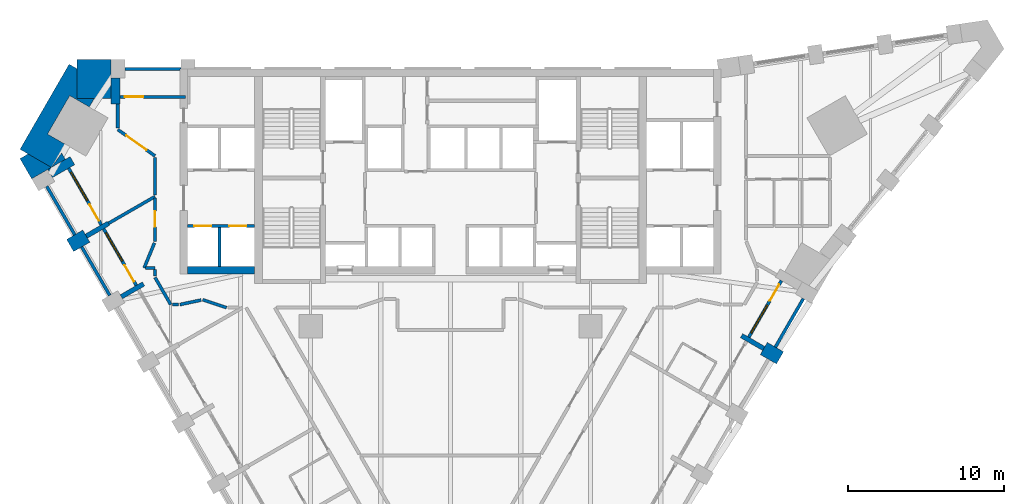
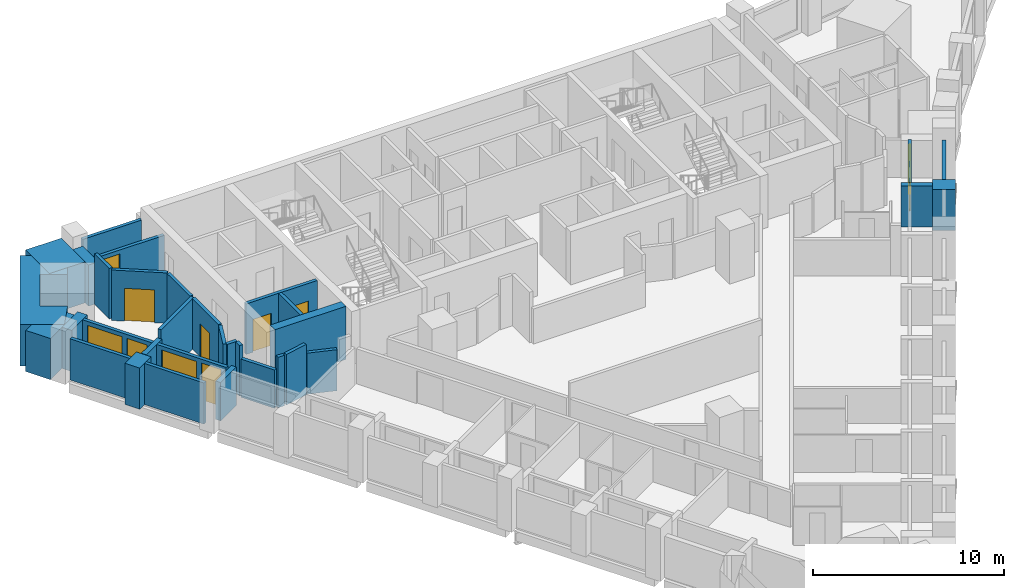
# One storey, part 6 of 11: 34 walls, 8 doors, 3 windows, 11 openings.
"""IFC4 building model written with IfcOpenShell, lengths in metres."""

from ifc_helpers import new_model, si_unit, direction, frame, frame_2d, origin, place, context, subcontext, project, spatial, polyline, rectangle, outline, extrude, material, layer, layer_set, type_object, element, fill, save


model = new_model("IFC4")

# Units and contexts
model_context = context("Model", 3, precision=1e-05, world=origin(), true_north=direction((0.0, 1.0)))
body_context = subcontext(model_context, "Body", "Model", "MODEL_VIEW")
ifc_project = project(units=[si_unit("LENGTHUNIT", "METRE"), si_unit("AREAUNIT", "SQUARE_METRE"), si_unit("VOLUMEUNIT", "CUBIC_METRE"), si_unit("PLANEANGLEUNIT", "RADIAN"), si_unit("MASSUNIT", "GRAM", prefix="KILO")], contexts=[model_context])

# Site, building, storey
site_placement = place(None, origin())
site = spatial("IfcSite", under=ifc_project, at=site_placement, CompositionType="ELEMENT")
building_placement = place(site_placement, origin())
building = spatial("IfcBuilding", under=site, at=building_placement, Name="Calabash Gate Tower", CompositionType="ELEMENT")
storey_placement = place(building_placement, frame((0.0, 0.0, 122.39990234375)))
storey = spatial("IfcBuildingStorey", under=building, at=storey_placement, Name="L28", CompositionType="ELEMENT", Elevation=122.39990234375)

# Walls
ifc_material_1 = material(Name="Terracotta brick masonry, exposed face", Category="masonry")
ifc_layer_1 = layer(ifc_material_1, 2.5)
ifc_layer_set_1 = layer_set([ifc_layer_1], Name="Brick corner mass wall 2500")
wall_type_1 = type_object("IfcWallType", Name="Brick corner mass wall 2500", PredefinedType="SOLIDWALL", material=ifc_layer_set_1)
wall_1_placement = place(storey_placement, origin())
element("IfcWall", 1, at=wall_1_placement, inside=storey, type_object=wall_type_1, Name="Brick corner pier S08 3a", PredefinedType="SOLIDWALL", context=body_context, shape_type="SweptSolid", body=[
    extrude(outline(polyline([(-24.00390625, 17.152587890625), (-21.846923828125, 17.152587890625), (-21.846923828125, 18.452880859375), (-21.846923828125, 18.452880859375), (-21.846923828125, 19.652587890625), (-24.00390625, 19.652587890625), (-24.00390625, 17.152587890625)])), origin(), (0.0, 0.0, 1.0), 2.630126953125),
])
wall_2_placement = place(storey_placement, origin())
element("IfcWall", 2, at=wall_2_placement, inside=storey, type_object=wall_type_1, Name="Brick corner pier S08 3b", PredefinedType="SOLIDWALL", context=body_context, shape_type="SweptSolid", body=[
    extrude(outline(polyline([(-23.22509765625, 16.601318359375), (-22.906982421875, 17.152587890625), (-24.00390625, 17.152587890625), (-24.00390625, 19.052490234375), (-24.5234375, 19.3525390625), (-27.68212890625, 13.8818359375), (-25.6640625, 12.716796875), (-24.650146484375, 14.13330078125), (-25.90966796875, 14.8603515625), (-24.484619140625, 17.32861328125), (-23.22509765625, 16.601318359375)])), origin(), (0.0, 0.0, 1.0), 2.630126953125),
])
wall_3_placement = place(storey_placement, origin())
element("IfcWall", 3, at=wall_3_placement, inside=storey, type_object=wall_type_1, Name="Brick corner pier S08 3ca", PredefinedType="SOLIDWALL", context=body_context, shape_type="SweptSolid", body=[
    extrude(outline(polyline([(-27.162353515625, 13.581787109375), (-27.68212890625, 13.28173828125), (-26.932861328125, 11.984130859375), (-25.6640625, 12.716796875), (-27.162353515625, 13.581787109375)])), origin(), (0.0, 0.0, 1.0), 2.630126953125),
])
wall_4_placement = place(storey_placement, origin())
element("IfcWall", 4, at=wall_4_placement, inside=storey, type_object=wall_type_1, Name="Brick corner pier S08 3cb", PredefinedType="SOLIDWALL", context=body_context, shape_type="SweptSolid", body=[
    extrude(outline(polyline([(-24.767822265625, 13.234130859375), (-25.00244140625, 13.640869140625), (-25.6640625, 12.716796875), (-24.767822265625, 13.234130859375)])), origin(), (0.0, 0.0, 1.0), 2.630126953125),
])
ifc_material_2 = material(Name="Terracotta brick masonry, exposed face", Category="masonry")
ifc_layer_2 = layer(ifc_material_2, 1.199951171875)
ifc_layer_set_2 = layer_set([ifc_layer_2], Name="Brick end wall 1200")
wall_type_2 = type_object("IfcWallType", Name="Brick end wall 1200", PredefinedType="SOLIDWALL", material=ifc_layer_set_2)
wall_5_placement = place(storey_placement, frame((-24.457763671875, 7.697265625, 0.0), z_axis=(0.0, 0.0, 1.0), x_axis=(0.865955154139, 0.50012165622, 0.0)))
element("IfcWall", 5, at=wall_5_placement, inside=storey, type_object=wall_type_2, Name="Brick pier S08 SW0.1", PredefinedType="SOLIDWALL", context=body_context, shape_type="SweptSolid", body=[
    extrude(rectangle(XDim=1.199951171875, YDim=0.89990234375, at=frame_2d((0.60009765625, 0.0))), origin(), (0.0, 0.0, 1.0), 2.630126953125),
])
wall_6_placement = place(storey_placement, frame((21.17626953125, 0.473388671875, 0.0), z_axis=(0.0, 0.0, 1.0), x_axis=(-0.866006032174, 0.500033551112, 0.0)))
element("IfcWall", 6, at=wall_6_placement, inside=storey, type_object=wall_type_2, Name="Brick pier S08 SE2.7", PredefinedType="SOLIDWALL", context=body_context, shape_type="SweptSolid", body=[
    extrude(rectangle(XDim=1.2001953125, YDim=0.89990234375, at=frame_2d((0.60009765625, 0.0))), origin(), (0.0, 0.0, 1.0), 2.630126953125),
])
ifc_material_3 = material(Name="Terracotta brick masonry, exposed face", Category="masonry")
ifc_layer_3 = layer(ifc_material_3, 0.300048828125)
ifc_layer_set_3 = layer_set([ifc_layer_3], Name="Brick loggia cheek wall 300")
wall_type_3 = type_object("IfcWallType", Name="Brick loggia cheek wall 300", PredefinedType="SOLIDWALL", material=ifc_layer_set_3)
wall_7_placement = place(storey_placement, frame((-25.74365234375, 12.32421875, 0.0), z_axis=(0.0, 0.0, 1.0), x_axis=(0.865976140824, 0.500085316245, 0.0)))
element("IfcWall", 7, at=wall_7_placement, inside=storey, type_object=wall_type_3, Name="Loggia cheek S08 SW0.0", PredefinedType="SOLIDWALL", context=body_context, shape_type="SweptSolid", body=[
    extrude(rectangle(XDim=1.650146484375, YDim=0.60009765625, at=frame_2d((0.8251953125, 0.0))), origin(), (0.0, 0.0, 1.0), 2.630126953125),
])
wall_8_placement = place(storey_placement, frame((-23.418701171875, 8.29736328125, 0.0), z_axis=(0.0, 0.0, 1.0), x_axis=(0.866040211805, 0.499974350878, 0.0)))
element("IfcWall", 8, at=wall_8_placement, inside=storey, type_object=wall_type_3, Name="Loggia cheek S08 SW0.1", PredefinedType="SOLIDWALL", context=body_context, shape_type="SweptSolid", body=[
    extrude(rectangle(XDim=1.64990234375, YDim=0.300048828125, at=frame_2d((0.824951171875, 0.0))), origin(), (0.0, 0.0, 1.0), 2.650146484375),
])
wall_9_placement = place(storey_placement, frame((-21.16845703125, 4.400146484375, 0.0), z_axis=(0.0, 0.0, 1.0), x_axis=(0.866003217194, 0.500038426333, 0.0)))
element("IfcWall", 9, at=wall_9_placement, inside=storey, type_object=wall_type_3, Name="Loggia cheek S08 SW0.2", PredefinedType="SOLIDWALL", context=body_context, shape_type="SweptSolid", body=[
    extrude(rectangle(XDim=1.649658203125, YDim=0.300048828125, at=frame_2d((0.82470703125, 0.0))), origin(), (0.0, 0.0, 1.0), 2.4501953125),
])
wall_10_placement = place(storey_placement, frame((18.7080078125, 1.8984375, 0.0), z_axis=(0.0, 0.0, 1.0), x_axis=(0.866040211805, -0.499974350878, 0.0)))
element("IfcWall", 10, at=wall_10_placement, inside=storey, type_object=wall_type_3, Name="Loggia cheek S08 SE2.7", PredefinedType="SOLIDWALL", context=body_context, shape_type="SweptSolid", body=[
    extrude(rectangle(XDim=1.64990234375, YDim=0.300048828125, at=frame_2d((0.824951171875, 0.0))), origin(), (0.0, 0.0, 1.0), 2.650146484375),
])
wall_11_placement = place(storey_placement, origin())
element("IfcWall", 11, at=wall_11_placement, inside=storey, type_object=wall_type_3, Name="Loggia cheek S08 N6.8", PredefinedType="SOLIDWALL", context=body_context, shape_type="SweptSolid", body=[
    extrude(outline(polyline([(-21.846923828125, 18.45263671875), (-21.846923828125, 16.802490234375), (-21.246826171875, 16.802490234375), (-21.246826171875, 18.45263671875), (-21.846923828125, 18.45263671875)])), origin(), (0.0, 0.0, 1.0), 2.630126953125),
])
ifc_material_4 = material(Name="Concrete C80/95", Category="concrete")
ifc_layer_4 = layer(ifc_material_4, 0.5)
ifc_layer_set_4 = layer_set([ifc_layer_4], Name="Core wall 500 Concrete C80/95")
wall_type_4 = type_object("IfcWallType", Name="Core wall 500 Concrete C80/95", PredefinedType="SHEAR", material=ifc_layer_set_4)
wall_12_placement = place(storey_placement, frame((-12.60009765625, 6.1025390625, 0.0), z_axis=(0.0, 0.0, 1.0), x_axis=(-1.0, 0.0, 0.0)))
element("IfcWall", 12, at=wall_12_placement, inside=storey, type_object=wall_type_4, Name="Core wall Z2-SW L28", PredefinedType="SHEAR", context=body_context, shape_type="SweptSolid", body=[
    extrude(rectangle(XDim=4.2998046875, YDim=0.5, at=frame_2d((2.14990234375, 0.0))), origin(), (0.0, 0.0, 1.0), 3.400146484375),
])
ifc_material_5 = material(Name="Gypsum board on steel studs, mineral wool", Category="steel")
ifc_layer_5 = layer(ifc_material_5, 0.199951171875)
ifc_layer_set_5 = layer_set([ifc_layer_5], Name="Partition 200 gypsum board EI 60")
wall_type_5 = type_object("IfcWallType", Name="Partition 200 gypsum board EI 60", PredefinedType="PARTITIONING", material=ifc_layer_set_5)
wall_13_placement = place(storey_placement, frame((-15.934814453125, 4.211181640625, 0.0), z_axis=(0.0, 0.0, 1.0), x_axis=(0.948653110684, -0.316318313712, 0.0)))
element("IfcWall", 13, at=wall_13_placement, inside=storey, type_object=wall_type_5, Name="Partition", PredefinedType="PARTITIONING", context=body_context, shape_type="SweptSolid", body=[
    extrude(rectangle(XDim=1.61767578125, YDim=0.199951171875, at=frame_2d((0.808837890625, 0.0))), origin(), (0.0, 0.0, 1.0), 2.628173828125),
])
wall_14_placement = place(storey_placement, frame((-19.00048828125, 5.643798828125, 0.0), z_axis=(0.0, 0.0, 1.0), x_axis=(0.500075657258, -0.86598171864, 0.0)))
element("IfcWall", 14, at=wall_14_placement, inside=storey, type_object=wall_type_5, Name="Partition", PredefinedType="PARTITIONING", context=body_context, shape_type="SweptSolid", body=[
    extrude(rectangle(XDim=2.014404296875, YDim=0.199951171875, at=frame_2d((1.00732421875, 0.0))), origin(), (0.0, 0.0, 1.0), 2.4501953125),
])
wall_15_placement = place(storey_placement, frame((-17.893310546875, 3.8994140625, 0.0), z_axis=(0.0, 0.0, 1.0), x_axis=(1.0, 0.0, 0.0)))
element("IfcWall", 15, at=wall_15_placement, inside=storey, type_object=wall_type_5, Name="Partition", PredefinedType="PARTITIONING", context=body_context, shape_type="SweptSolid", body=[
    extrude(rectangle(XDim=0.393310546875, YDim=0.199951171875, at=frame_2d((0.19677734375, 0.0))), origin(), (0.0, 0.0, 1.0), 3.22998046875),
])
wall_16_placement = place(storey_placement, frame((-17.39990234375, 3.8994140625, 0.0), z_axis=(0.0, 0.0, 1.0), x_axis=(0.978123323974, 0.208025871224, 0.0)))
element("IfcWall", 16, at=wall_16_placement, inside=storey, type_object=wall_type_5, Name="Partition", PredefinedType="PARTITIONING", context=body_context, shape_type="SweptSolid", body=[
    extrude(rectangle(XDim=1.397705078125, YDim=0.199951171875, at=frame_2d((0.69873046875, 0.0))), origin(), (0.0, 0.0, 1.0), 3.22998046875),
])
wall_17_placement = place(storey_placement, frame((-19.00048828125, 6.152099609375, 0.0), z_axis=(0.0, 0.0, 1.0), x_axis=(0.0, -1.0, 0.0)))
element("IfcWall", 17, at=wall_17_placement, inside=storey, type_object=wall_type_5, Name="Partition", PredefinedType="PARTITIONING", context=body_context, shape_type="SweptSolid", body=[
    extrude(rectangle(XDim=0.408203125, YDim=0.199951171875, at=frame_2d((0.2041015625, 0.0))), origin(), (0.0, 0.0, 1.0), 3.22998046875),
])
wall_18_placement = place(storey_placement, frame((-19.700439453125, 6.252685546875, 0.0), z_axis=(0.0, 0.0, 1.0), x_axis=(0.380742741509, 0.924681007044, 0.0)))
element("IfcWall", 18, at=wall_18_placement, inside=storey, type_object=wall_type_5, Name="Partition", PredefinedType="PARTITIONING", context=body_context, shape_type="SweptSolid", body=[
    extrude(rectangle(XDim=1.73828125, YDim=0.199951171875, at=frame_2d((0.869140625, 0.0))), origin(), (0.0, 0.0, 1.0), 3.22998046875),
])
wall_19_placement = place(storey_placement, frame((-19.6005859375, 6.252685546875, 0.0), z_axis=(0.0, 0.0, 1.0), x_axis=(0.999999668971, -0.000813669381, 0.0)))
element("IfcWall", 19, at=wall_19_placement, inside=storey, type_object=wall_type_5, Name="Partition", PredefinedType="PARTITIONING", context=body_context, shape_type="SweptSolid", body=[
    extrude(rectangle(XDim=0.60009765625, YDim=0.199951171875, at=frame_2d((0.300048828125, 0.0))), origin(), (0.0, 0.0, 1.0), 3.22998046875),
])

# Wall, opening, door
wall_20_placement = place(storey_placement, frame((-19.001953125, 10.7470703125, 0.0), z_axis=(0.0, 0.0, 1.0), x_axis=(0.000524200522, -0.999999862607, 0.0)))
wall_20 = element("IfcWall", 20, at=wall_20_placement, inside=storey, type_object=wall_type_5, Name="Partition", PredefinedType="PARTITIONING", context=body_context, shape_type="SweptSolid", body=[
    extrude(rectangle(XDim=2.79443359375, YDim=0.199951171875, at=frame_2d((1.397216796875, 0.0))), origin(), (0.0, 0.0, 1.0), 3.22998046875),
])
opening_1_placement = place(wall_20_placement, frame((0.845703125, 0.0, 0.0)))
opening_1 = element("IfcOpeningElement", 21, at=opening_1_placement, cuts=wall_20, Name="Opening 28-30-021", PredefinedType="OPENING", context=body_context, shape_type="SweptSolid", body=[
    extrude(rectangle(XDim=1.0, YDim=2.10009765625, at=frame_2d((0.5, 1.050048828125))), frame((0.0, 0.10986328125, 0.0), z_axis=(0.0, -1.0, 0.0), x_axis=(1.0, 0.0, 0.0)), (0.0, 0.0, 1.0), 0.219970703125),
])
ifc_material_6 = material(Name="Steel fire door set with fire-resisting glazing", Category="steel")
door_type_1 = type_object("IfcDoorType", Name="LD2 Meeting room door 1000x2100", OperationType="NOTDEFINED", PredefinedType="DOOR", material=ifc_material_6)
door_1_placement = place(opening_1_placement, origin())
door_1 = element("IfcDoor", 22, at=door_1_placement, inside=storey, type_object=door_type_1, Name="Meeting room door", OperationType="SINGLE_SWING_LEFT", OverallHeight=2.10009765625, OverallWidth=1.0, PredefinedType="DOOR", context=body_context, shape_type="SweptSolid", body=[
    extrude(rectangle(XDim=1.0, YDim=2.10009765625, at=frame_2d((0.5, 1.050048828125))), frame((0.0, 0.02490234375, 0.0), z_axis=(0.0, -1.0, 0.0), x_axis=(1.0, 0.0, 0.0)), (0.0, 0.0, 1.0), 0.050048828125),
])
fill(opening_1, door_1)

# Walls
wall_21_placement = place(storey_placement, frame((-21.989501953125, 9.1220703125, 0.0), z_axis=(0.0, 0.0, 1.0), x_axis=(0.866285697387, 0.499548887001, 0.0)))
element("IfcWall", 23, at=wall_21_placement, inside=storey, type_object=wall_type_5, Name="Partition", PredefinedType="PARTITIONING", context=body_context, shape_type="SweptSolid", body=[
    extrude(rectangle(XDim=3.450439453125, YDim=0.199951171875, at=frame_2d((1.72509765625, 0.0))), origin(), (0.0, 0.0, 1.0), 3.22998046875),
])
wall_22_placement = place(storey_placement, frame((-19.001953125, 10.947265625, 0.0), z_axis=(0.0, 0.0, 1.0), x_axis=(0.000609075108, 0.999999814514, 0.0)))
element("IfcWall", 24, at=wall_22_placement, inside=storey, type_object=wall_type_5, Name="Partition", PredefinedType="PARTITIONING", context=body_context, shape_type="SweptSolid", body=[
    extrude(rectangle(XDim=2.405029296875, YDim=0.199951171875, at=frame_2d((1.20263671875, 0.0))), origin(), (0.0, 0.0, 1.0), 3.22998046875),
])

# Wall, opening, door
wall_23_placement = place(storey_placement, frame((-21.397216796875, 15.152099609375, 0.0), z_axis=(0.0, 0.0, 1.0), x_axis=(0.815699386654, -0.578476024232, 0.0)))
wall_23 = element("IfcWall", 25, at=wall_23_placement, inside=storey, type_object=wall_type_5, Name="Partition", PredefinedType="PARTITIONING", context=body_context, shape_type="SweptSolid", body=[
    extrude(rectangle(XDim=2.938232421875, YDim=0.199951171875, at=frame_2d((1.46923828125, 0.0))), origin(), (0.0, 0.0, 1.0), 3.22998046875),
])
opening_2_placement = place(wall_23_placement, frame((0.669189453125, 0.0, 0.0)))
opening_2 = element("IfcOpeningElement", 26, at=opening_2_placement, cuts=wall_23, Name="Opening 28-30-020", PredefinedType="OPENING", context=body_context, shape_type="SweptSolid", body=[
    extrude(rectangle(XDim=1.60009765625, YDim=2.10009765625, at=frame_2d((0.800048828125, 1.050048828125))), frame((0.0, 0.10986328125, 0.0), z_axis=(0.0, -1.0, 0.0), x_axis=(1.0, 0.0, 0.0)), (0.0, 0.0, 1.0), 0.219970703125),
])
ifc_material_7 = material(Name="Steel fire door set with fire-resisting glazing", Category="steel")
door_type_2 = type_object("IfcDoorType", Name="LD1 Lounge double door 1600x2100", OperationType="NOTDEFINED", PredefinedType="DOOR", material=ifc_material_7)
door_2_placement = place(opening_2_placement, origin())
door_2 = element("IfcDoor", 27, at=door_2_placement, inside=storey, type_object=door_type_2, Name="Lounge double door", OperationType="DOUBLE_DOOR_SINGLE_SWING", OverallHeight=2.10009765625, OverallWidth=1.60009765625, PredefinedType="DOOR", context=body_context, shape_type="SweptSolid", body=[
    extrude(rectangle(XDim=1.60009765625, YDim=2.10009765625, at=frame_2d((0.800048828125, 1.050048828125))), frame((0.0, 0.02490234375, 0.0), z_axis=(0.0, -1.0, 0.0), x_axis=(1.0, 0.0, 0.0)), (0.0, 0.0, 1.0), 0.050048828125),
])
fill(opening_2, door_2)

# Walls
wall_24_placement = place(storey_placement, frame((-21.3974609375, 16.802490234375, 0.0), z_axis=(0.0, 0.0, 1.0), x_axis=(0.000157480313, -0.9999999876, 0.0)))
element("IfcWall", 28, at=wall_24_placement, inside=storey, type_object=wall_type_5, Name="Partition", PredefinedType="PARTITIONING", context=body_context, shape_type="SweptSolid", body=[
    extrude(rectangle(XDim=1.55029296875, YDim=0.199951171875, at=frame_2d((0.775146484375, 0.0))), origin(), (0.0, 0.0, 1.0), 3.22998046875),
])
ifc_material_8 = material(Name="Concrete C40/50", Category="concrete")
ifc_layer_6 = layer(ifc_material_8, 0.199951171875)
ifc_layer_set_6 = layer_set([ifc_layer_6], Name="Shaft wall 200 Concrete C40/50")
wall_type_6 = type_object("IfcWallType", Name="Shaft wall 200 Concrete C40/50", PredefinedType="SOLIDWALL", material=ifc_layer_set_6)
wall_25_placement = place(storey_placement, frame((-14.85009765625, 6.3525390625, 0.0), z_axis=(0.0, 0.0, 1.0), x_axis=(0.0, 1.0, 0.0)))
element("IfcWall", 29, at=wall_25_placement, inside=storey, type_object=wall_type_6, Name="Shaft wall", PredefinedType="SOLIDWALL", context=body_context, shape_type="SweptSolid", body=[
    extrude(rectangle(XDim=2.5, YDim=0.199951171875, at=frame_2d((1.25, 0.0))), origin(), (0.0, 0.0, 1.0), 3.22998046875),
])

# Wall, openings, doors
wall_26_placement = place(storey_placement, frame((-16.89990234375, 8.95263671875, 0.0), z_axis=(0.0, 0.0, 1.0), x_axis=(1.0, 0.0, 0.0)))
wall_26 = element("IfcWall", 30, at=wall_26_placement, inside=storey, type_object=wall_type_6, Name="Shaft wall", PredefinedType="SOLIDWALL", context=body_context, shape_type="SweptSolid", body=[
    extrude(rectangle(XDim=4.2998046875, YDim=0.199951171875, at=frame_2d((2.14990234375, 0.0))), origin(), (0.0, 0.0, 1.0), 3.22998046875),
])
opening_3_placement = place(wall_26_placement, frame((2.675048828125, 0.0, 0.0)))
opening_3 = element("IfcOpeningElement", 31, at=opening_3_placement, cuts=wall_26, Name="Opening LD-LR1", PredefinedType="OPENING", context=body_context, shape_type="SweptSolid", body=[
    extrude(rectangle(XDim=1.10009765625, YDim=2.10009765625, at=frame_2d((0.550048828125, 1.050048828125))), frame((0.0, 0.10986328125, 0.0), z_axis=(0.0, -1.0, 0.0), x_axis=(1.0, 0.0, 0.0)), (0.0, 0.0, 1.0), 0.219970703125),
])
opening_4_placement = place(wall_26_placement, frame((0.425048828125, 0.0, 0.0)))
opening_4 = element("IfcOpeningElement", 32, at=opening_4_placement, cuts=wall_26, Name="Opening LD-LR2", PredefinedType="OPENING", context=body_context, shape_type="SweptSolid", body=[
    extrude(rectangle(XDim=1.10009765625, YDim=2.10009765625, at=frame_2d((0.550048828125, 1.050048828125))), frame((0.0, 0.10986328125, 0.0), z_axis=(0.0, -1.0, 0.0), x_axis=(1.0, 0.0, 0.0)), (0.0, 0.0, 1.0), 0.219970703125),
])
ifc_material_9 = material(Name="Stainless steel sliding door leaves", Category="steel")
door_type_3 = type_object("IfcDoorType", Name="Lift landing door LS1 1100x2100 FD90", OperationType="DOUBLE_DOOR_SLIDING", PredefinedType="DOOR", material=ifc_material_9)
door_3_placement = place(opening_3_placement, origin())
door_3 = element("IfcDoor", 33, at=door_3_placement, inside=storey, type_object=door_type_3, Name="Lift landing door LR1", OperationType="DOUBLE_DOOR_SLIDING", OverallHeight=2.10009765625, OverallWidth=1.10009765625, PredefinedType="DOOR", context=body_context, shape_type="SweptSolid", body=[
    extrude(rectangle(XDim=1.10009765625, YDim=2.10009765625, at=frame_2d((0.550048828125, 1.050048828125))), frame((0.0, 0.02490234375, 0.0), z_axis=(0.0, -1.0, 0.0), x_axis=(1.0, 0.0, 0.0)), (0.0, 0.0, 1.0), 0.050048828125),
])
fill(opening_3, door_3)
door_4_placement = place(opening_4_placement, origin())
door_4 = element("IfcDoor", 34, at=door_4_placement, inside=storey, type_object=door_type_3, Name="Lift landing door LR2", OperationType="DOUBLE_DOOR_SLIDING", OverallHeight=2.10009765625, OverallWidth=1.10009765625, PredefinedType="DOOR", context=body_context, shape_type="SweptSolid", body=[
    extrude(rectangle(XDim=1.10009765625, YDim=2.10009765625, at=frame_2d((0.550048828125, 1.050048828125))), frame((0.0, 0.02490234375, 0.0), z_axis=(0.0, -1.0, 0.0), x_axis=(1.0, 0.0, 0.0)), (0.0, 0.0, 1.0), 0.050048828125),
])
fill(opening_4, door_4)

# Walls
ifc_material_10 = material(Name="Terracotta brick masonry, perforated", Category="masonry")
ifc_layer_7 = layer(ifc_material_10, 0.199951171875)
ifc_layer_set_7 = layer_set([ifc_layer_7], Name="Terracotta jaali screen B")
wall_type_7 = type_object("IfcWallType", Name="Terracotta jaali screen B", PredefinedType="SOLIDWALL", material=ifc_layer_set_7)
for number, where, z_axis, x_axis, name in (
    (35, (-25.963134765625, 11.504638671875, 0.0), (0.0, 0.0, 1.0), (0.500012057535, -0.866018442252, 0.0), "SCREEN B S08 SW0.1"),
    (36, (-23.713134765625, 7.607666015625, 0.0), (0.0, 0.0, 1.0), (0.500012057535, -0.866018442252, 0.0), "SCREEN B S08 SW0.2"),
    (37, (20.881591796875, 1.1630859375, 0.0), (0.0, 0.0, 1.0), (0.500012057535, 0.866018442252, 0.0), "SCREEN B S08 SE2.8"),
):
    element("IfcWall", number, at=place(storey_placement, frame(where, z_axis=z_axis, x_axis=x_axis)), inside=storey, type_object=wall_type_7, Name=name, PredefinedType="SOLIDWALL", context=body_context, shape_type="SweptSolid", body=[
        extrude(rectangle(XDim=3.60009765625, YDim=0.199951171875, at=frame_2d((1.800048828125, 0.0))), origin(), (0.0, 0.0, 1.0), 2.630126953125),
    ])
wall_27_placement = place(storey_placement, origin())
element("IfcWall", 38, at=wall_27_placement, inside=storey, type_object=wall_type_7, Name="SCREEN B S08 N6.8", PredefinedType="SOLIDWALL", context=body_context, shape_type="SweptSolid", body=[
    extrude(outline(polyline([(-20.947021484375, 19.152587890625), (-20.947021484375, 18.95263671875), (-17.39990234375, 18.95263671875), (-17.39990234375, 19.052490234375), (-17.346923828125, 19.052490234375), (-17.346923828125, 19.152587890625), (-20.947021484375, 19.152587890625)])), origin(), (0.0, 0.0, 1.0), 2.650146484375),
])

# Wall, openings, door, window
ifc_material_11 = material(Name="Aluminium framed window wall with insulated spandrel", Category="aluminium")
ifc_layer_8 = layer(ifc_material_11, 0.199951171875)
ifc_layer_set_8 = layer_set([ifc_layer_8], Name="Window wall 200")
wall_type_8 = type_object("IfcWallType", Name="Window wall 200", PredefinedType="ELEMENTEDWALL", material=ifc_layer_set_8)
wall_28_placement = place(storey_placement, frame((-24.554443359375, 12.66455078125, 0.0), z_axis=(0.0, 0.0, 1.0), x_axis=(0.500002543286, -0.866023935413, 0.0)))
wall_28 = element("IfcWall", 39, at=wall_28_placement, inside=storey, type_object=wall_type_8, Name="Window wall S08 SW0.1", PredefinedType="ELEMENTEDWALL", context=body_context, shape_type="SweptSolid", body=[
    extrude(rectangle(XDim=4.2001953125, YDim=0.199951171875, at=frame_2d((2.10009765625, 0.0))), origin(), (0.0, 0.0, 1.0), 2.650146484375),
])
opening_5_placement = place(wall_28_placement, frame((0.300048828125, 0.0, 0.60009765625)))
opening_5 = element("IfcOpeningElement", 40, at=opening_5_placement, cuts=wall_28, Name="Opening HW1", PredefinedType="OPENING", context=body_context, shape_type="SweptSolid", body=[
    extrude(rectangle(XDim=2.10009765625, YDim=1.800048828125, at=frame_2d((1.050048828125, 0.89990234375))), frame((0.0, 0.10986328125, 0.0), z_axis=(0.0, -1.0, 0.0), x_axis=(1.0, 0.0, 0.0)), (0.0, 0.0, 1.0), 0.219970703125),
])
opening_6_placement = place(wall_28_placement, frame((2.699951171875, 0.0, 0.0)))
opening_6 = element("IfcOpeningElement", 41, at=opening_6_placement, cuts=wall_28, Name="Opening H8-026", PredefinedType="OPENING", context=body_context, shape_type="SweptSolid", body=[
    extrude(rectangle(XDim=1.199951171875, YDim=2.39990234375, at=frame_2d((0.60009765625, 1.199951171875))), frame((0.0, 0.10986328125, 0.0), z_axis=(0.0, -1.0, 0.0), x_axis=(1.0, 0.0, 0.0)), (0.0, 0.0, 1.0), 0.219970703125),
])
ifc_material_12 = material(Name="Anodised aluminium frame, bronze finish, impact-rated laminated clear glazing", Category="aluminium")
door_type_4 = type_object("IfcDoorType", Name="Loggia door DH1 1200x2400", OperationType="SLIDING_TO_LEFT", PredefinedType="DOOR", material=ifc_material_12)
door_5_placement = place(opening_6_placement, origin())
door_5 = element("IfcDoor", 42, at=door_5_placement, inside=storey, type_object=door_type_4, Name="Loggia door S08 SW0.1", OperationType="SINGLE_SWING_LEFT", OverallHeight=2.39990234375, OverallWidth=1.199951171875, PredefinedType="DOOR", context=body_context, shape_type="SweptSolid", body=[
    extrude(rectangle(XDim=1.199951171875, YDim=2.39990234375, at=frame_2d((0.60009765625, 1.199951171875))), frame((0.0, 0.02490234375, 0.0), z_axis=(0.0, -1.0, 0.0), x_axis=(1.0, 0.0, 0.0)), (0.0, 0.0, 1.0), 0.050048828125),
])
fill(opening_6, door_5)
ifc_material_13 = material(Name="Anodised aluminium frame, bronze finish, impact-rated laminated clear glazing", Category="aluminium")
window_type_1 = type_object("IfcWindowType", Name="Window HW1 2100x1800", PartitioningType="DOUBLE_PANEL_VERTICAL", PredefinedType="WINDOW", material=ifc_material_13)
window_1_placement = place(opening_5_placement, origin())
window_1 = element("IfcWindow", 43, at=window_1_placement, inside=storey, type_object=window_type_1, Name="Window HW1 S08 SW0.1", OverallHeight=1.800048828125, OverallWidth=2.10009765625, PartitioningType="SINGLE_PANEL", PredefinedType="WINDOW", context=body_context, shape_type="SweptSolid", body=[
    extrude(rectangle(XDim=2.10009765625, YDim=1.800048828125, at=frame_2d((1.050048828125, 0.89990234375))), frame((0.0, 0.030029296875, 0.0), z_axis=(0.0, -1.0, 0.0), x_axis=(1.0, 0.0, 0.0)), (0.0, 0.0, 1.0), 0.06005859375),
])
fill(opening_5, window_1)

wall_29_placement = place(storey_placement, frame((-22.304443359375, 8.767333984375, 0.0), z_axis=(0.0, 0.0, 1.0), x_axis=(0.500027713859, -0.866009402589, 0.0)))
wall_29 = element("IfcWall", 44, at=wall_29_placement, inside=storey, type_object=wall_type_8, Name="Window wall S08 SW0.2", PredefinedType="ELEMENTEDWALL", context=body_context, shape_type="SweptSolid", body=[
    extrude(rectangle(XDim=4.199951171875, YDim=0.199951171875, at=frame_2d((2.10009765625, 0.0))), origin(), (0.0, 0.0, 1.0), 2.650146484375),
])
opening_7_placement = place(wall_29_placement, frame((0.300048828125, 0.0, 0.60009765625)))
opening_7 = element("IfcOpeningElement", 45, at=opening_7_placement, cuts=wall_29, Name="Opening HW1", PredefinedType="OPENING", context=body_context, shape_type="SweptSolid", body=[
    extrude(rectangle(XDim=2.10009765625, YDim=1.800048828125, at=frame_2d((1.050048828125, 0.89990234375))), frame((0.0, 0.10986328125, 0.0), z_axis=(0.0, -1.0, 0.0), x_axis=(1.0, 0.0, 0.0)), (0.0, 0.0, 1.0), 0.219970703125),
])
opening_8_placement = place(wall_29_placement, frame((2.699951171875, 0.0, 0.0)))
opening_8 = element("IfcOpeningElement", 46, at=opening_8_placement, cuts=wall_29, Name="Opening H8-027", PredefinedType="OPENING", context=body_context, shape_type="SweptSolid", body=[
    extrude(rectangle(XDim=1.199951171875, YDim=2.39990234375, at=frame_2d((0.60009765625, 1.199951171875))), frame((0.0, 0.10986328125, 0.0), z_axis=(0.0, -1.0, 0.0), x_axis=(1.0, 0.0, 0.0)), (0.0, 0.0, 1.0), 0.219970703125),
])
door_6_placement = place(opening_8_placement, origin())
door_6 = element("IfcDoor", 47, at=door_6_placement, inside=storey, type_object=door_type_4, Name="Loggia door S08 SW0.2", OperationType="SINGLE_SWING_LEFT", OverallHeight=2.39990234375, OverallWidth=1.199951171875, PredefinedType="DOOR", context=body_context, shape_type="SweptSolid", body=[
    extrude(rectangle(XDim=1.199951171875, YDim=2.39990234375, at=frame_2d((0.60009765625, 1.199951171875))), frame((0.0, 0.02490234375, 0.0), z_axis=(0.0, -1.0, 0.0), x_axis=(1.0, 0.0, 0.0)), (0.0, 0.0, 1.0), 0.050048828125),
])
fill(opening_8, door_6)
window_2_placement = place(opening_7_placement, origin())
window_2 = element("IfcWindow", 48, at=window_2_placement, inside=storey, type_object=window_type_1, Name="Window HW1 S08 SW0.2", OverallHeight=1.800048828125, OverallWidth=2.10009765625, PartitioningType="SINGLE_PANEL", PredefinedType="WINDOW", context=body_context, shape_type="SweptSolid", body=[
    extrude(rectangle(XDim=2.10009765625, YDim=1.800048828125, at=frame_2d((1.050048828125, 0.89990234375))), frame((0.0, 0.030029296875, 0.0), z_axis=(0.0, -1.0, 0.0), x_axis=(1.0, 0.0, 0.0)), (0.0, 0.0, 1.0), 0.06005859375),
])
fill(opening_7, window_2)

wall_30_placement = place(storey_placement, frame((19.1728515625, 1.80322265625, 0.0), z_axis=(0.0, 0.0, 1.0), x_axis=(0.499958946799, 0.866049104564, 0.0)))
wall_30 = element("IfcWall", 49, at=wall_30_placement, inside=storey, type_object=wall_type_8, Name="Window wall S08 SE2.8", PredefinedType="ELEMENTEDWALL", context=body_context, shape_type="SweptSolid", body=[
    extrude(rectangle(XDim=4.199951171875, YDim=0.199951171875, at=frame_2d((2.10009765625, 0.0))), origin(), (0.0, 0.0, 1.0), 2.4501953125),
])
opening_9_placement = place(wall_30_placement, frame((0.300048828125, 0.0, 0.60009765625)))
opening_9 = element("IfcOpeningElement", 50, at=opening_9_placement, cuts=wall_30, Name="Opening HW1L-1750", PredefinedType="OPENING", context=body_context, shape_type="SweptSolid", body=[
    extrude(rectangle(XDim=2.10009765625, YDim=1.75, at=frame_2d((1.050048828125, 0.875))), frame((0.0, 0.10986328125, 0.0), z_axis=(0.0, -1.0, 0.0), x_axis=(1.0, 0.0, 0.0)), (0.0, 0.0, 1.0), 0.219970703125),
])
opening_10_placement = place(wall_30_placement, frame((2.699951171875, 0.0, 0.0)))
opening_10 = element("IfcOpeningElement", 51, at=opening_10_placement, cuts=wall_30, Name="Opening H8-025", PredefinedType="OPENING", context=body_context, shape_type="SweptSolid", body=[
    extrude(rectangle(XDim=1.199951171875, YDim=2.35009765625, at=frame_2d((0.60009765625, 1.175048828125))), frame((0.0, 0.10986328125, 0.0), z_axis=(0.0, -1.0, 0.0), x_axis=(1.0, 0.0, 0.0)), (0.0, 0.0, 1.0), 0.219970703125),
])
ifc_material_14 = material(Name="Anodised aluminium frame, bronze finish, impact-rated laminated clear glazing", Category="aluminium")
door_type_5 = type_object("IfcDoorType", Name="Loggia door DH1L-2350 1200x2350", OperationType="SLIDING_TO_LEFT", PredefinedType="DOOR", material=ifc_material_14)
door_7_placement = place(opening_10_placement, origin())
door_7 = element("IfcDoor", 52, at=door_7_placement, inside=storey, type_object=door_type_5, Name="Loggia door S08 SE2.8", OperationType="SINGLE_SWING_LEFT", OverallHeight=2.35009765625, OverallWidth=1.199951171875, PredefinedType="DOOR", context=body_context, shape_type="SweptSolid", body=[
    extrude(rectangle(XDim=1.199951171875, YDim=2.35009765625, at=frame_2d((0.60009765625, 1.175048828125))), frame((0.0, 0.02490234375, 0.0), z_axis=(0.0, -1.0, 0.0), x_axis=(1.0, 0.0, 0.0)), (0.0, 0.0, 1.0), 0.050048828125),
])
fill(opening_10, door_7)
ifc_material_15 = material(Name="Anodised aluminium frame, bronze finish, impact-rated laminated clear glazing", Category="aluminium")
window_type_2 = type_object("IfcWindowType", Name="Window HW1L 2100x1750", PartitioningType="DOUBLE_PANEL_VERTICAL", PredefinedType="WINDOW", material=ifc_material_15)
window_3_placement = place(opening_9_placement, origin())
window_3 = element("IfcWindow", 53, at=window_3_placement, inside=storey, type_object=window_type_2, Name="Window HW1 S08 SE2.8", OverallHeight=1.75, OverallWidth=2.10009765625, PartitioningType="SINGLE_PANEL", PredefinedType="WINDOW", context=body_context, shape_type="SweptSolid", body=[
    extrude(rectangle(XDim=2.10009765625, YDim=1.75, at=frame_2d((1.050048828125, 0.875))), frame((0.0, 0.030029296875, 0.0), z_axis=(0.0, -1.0, 0.0), x_axis=(1.0, 0.0, 0.0)), (0.0, 0.0, 1.0), 0.06005859375),
])
fill(opening_9, window_3)

# Wall, opening, door
wall_31_placement = place(storey_placement, frame((-17.046875, 17.25244140625, 0.0), z_axis=(0.0, 0.0, 1.0), x_axis=(-1.0, 0.0, 0.0)))
wall_31 = element("IfcWall", 54, at=wall_31_placement, inside=storey, type_object=wall_type_8, Name="Window wall S08 N6.8", PredefinedType="ELEMENTEDWALL", context=body_context, shape_type="SweptSolid", body=[
    extrude(rectangle(XDim=4.199951171875, YDim=0.199951171875, at=frame_2d((2.10009765625, 0.0))), origin(), (0.0, 0.0, 1.0), 2.650146484375),
])
opening_11_placement = place(wall_31_placement, frame((2.699951171875, 0.0, 0.0)))
opening_11 = element("IfcOpeningElement", 55, at=opening_11_placement, cuts=wall_31, Name="Opening H8-017", PredefinedType="OPENING", context=body_context, shape_type="SweptSolid", body=[
    extrude(rectangle(XDim=1.199951171875, YDim=2.39990234375, at=frame_2d((0.60009765625, 1.199951171875))), frame((0.0, 0.10986328125, 0.0), z_axis=(0.0, -1.0, 0.0), x_axis=(1.0, 0.0, 0.0)), (0.0, 0.0, 1.0), 0.219970703125),
])
door_8_placement = place(opening_11_placement, origin())
door_8 = element("IfcDoor", 56, at=door_8_placement, inside=storey, type_object=door_type_4, Name="Loggia door S08 N6.8", OperationType="SINGLE_SWING_LEFT", OverallHeight=2.39990234375, OverallWidth=1.199951171875, PredefinedType="DOOR", context=body_context, shape_type="SweptSolid", body=[
    extrude(rectangle(XDim=1.199951171875, YDim=2.39990234375, at=frame_2d((0.60009765625, 1.199951171875))), frame((0.0, 0.02490234375, 0.0), z_axis=(0.0, -1.0, 0.0), x_axis=(1.0, 0.0, 0.0)), (0.0, 0.0, 1.0), 0.050048828125),
])
fill(opening_11, door_8)

save(model, "model.ifc")
